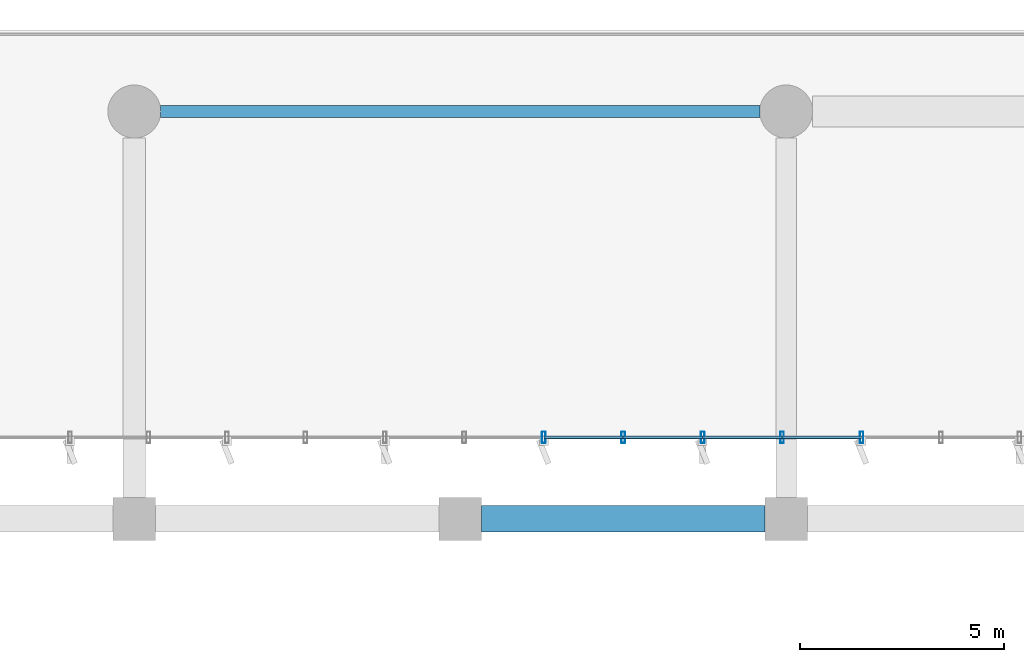
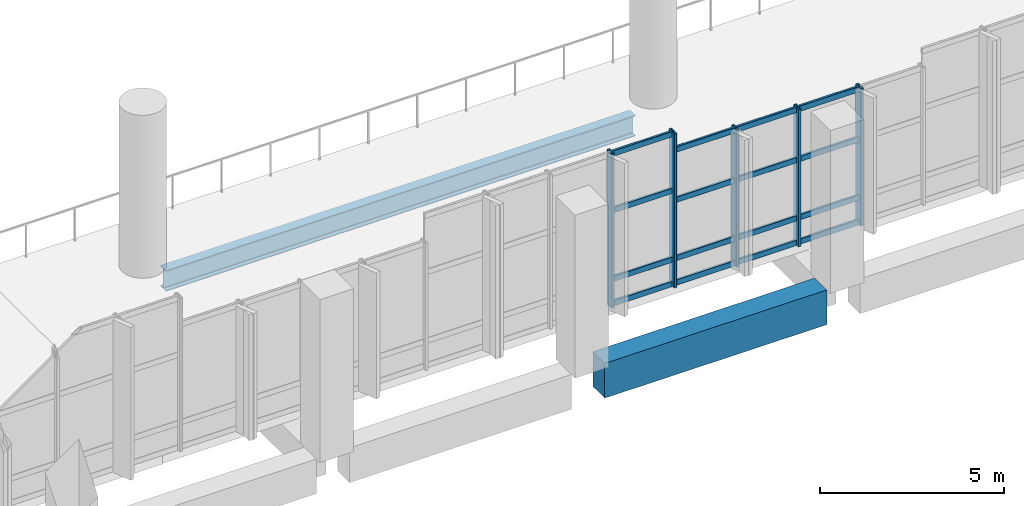
# One storey, part 33 of 176: 21 members, 2 beams, 2 elements without a shape of their own.
"""IFC4 building model written with IfcOpenShell, lengths in metres."""

from ifc_helpers import new_model, si_unit, direction, frame, origin, origin_2d, place, context, subcontext, project, spatial, rectangle, hollow_rectangle, i_section, extrude, material, layer, layer_set, material_profile, profile_set, type_object, element, aggregate, save


model = new_model("IFC4")

# Units and contexts
model_context = context("Model", 3, precision=1e-05, world=origin(), true_north=direction((0.0, 1.0)))
body_context = subcontext(model_context, "Body", "Model", "MODEL_VIEW")
ifc_project = project(units=[si_unit("LENGTHUNIT", "METRE"), si_unit("AREAUNIT", "SQUARE_METRE"), si_unit("VOLUMEUNIT", "CUBIC_METRE"), si_unit("PLANEANGLEUNIT", "RADIAN"), si_unit("MASSUNIT", "GRAM", prefix="KILO")], contexts=[model_context])

# Site, building, storey
site_placement = place(None, origin())
site = spatial("IfcSite", under=ifc_project, at=site_placement, CompositionType="ELEMENT")
building_placement = place(site_placement, origin())
building = spatial("IfcBuilding", under=site, at=building_placement, Name="Khorjan Park Terminus", CompositionType="ELEMENT")
storey_placement = place(building_placement, frame((0.0, 0.0, 6.0)))
storey = spatial("IfcBuildingStorey", under=building, at=storey_placement, Name="L01", CompositionType="ELEMENT", Elevation=6.0)

# Beam
ifc_material_1 = material(Name="Steel S355", Category="steel")
ifc_material_profile_1 = material_profile(ifc_material_1, i_section(OverallWidth=0.3, OverallDepth=0.69, WebThickness=0.0145, FlangeThickness=0.027, FilletRadius=0.027, at=origin_2d()), Name="HEA 700")
ifc_profile_set_1 = profile_set([ifc_material_profile_1], Name="Steel S355")
beam_type_1 = type_object("IfcBeamType", Name="BM-HEA700", PredefinedType="BEAM", material=ifc_profile_set_1)
beam_1_placement = place(storey_placement, frame((80.645, 36.0, -0.685), z_axis=(1.0, 0.0, 0.0), x_axis=(0.0, 1.0, 0.0)))
element("IfcBeam", 1, at=beam_1_placement, inside=storey, type_object=beam_type_1, Name="Primary floor girder SB-A70 (L01)", PredefinedType="BEAM", context=body_context, shape_type="SweptSolid", body=[
    extrude(i_section(OverallWidth=0.3, OverallDepth=0.69, WebThickness=0.0145, FlangeThickness=0.027, FilletRadius=0.027, at=origin_2d()), origin(), (0.0, 0.0, 1.0), 14.71),
])

# Curtain wall, members
ifc_material_2 = material(Name="Anodized Bronze Aluminium", Category="aluminium")
ifc_layer = layer(ifc_material_2, 0.22)
ifc_layer_set = layer_set([ifc_layer], Name="Anodized Bronze Aluminium")
curtain_wall_type = type_object("IfcCurtainWallType", Name="CW-CONC-A", PredefinedType="NOTDEFINED", material=ifc_layer_set)
curtain_wall_1_placement = place(storey_placement, origin())
curtain_wall_1 = element("IfcCurtainWall", 2, at=curtain_wall_1_placement, inside=storey, type_object=curtain_wall_type, Name="Unitized curtain wall CW-A (CW-V2-S-L01-04)", PredefinedType="NOTDEFINED")
ifc_material_profile_2 = material_profile(ifc_material_2, hollow_rectangle(XDim=0.09, YDim=0.28, WallThickness=0.006, InnerFilletRadius=0.006, OuterFilletRadius=0.012, at=origin_2d()), Name="ALM 90x280x6")
ifc_profile_set_2 = profile_set([ifc_material_profile_2], Name="Anodized Bronze Aluminium")
member_type_1 = type_object("IfcMemberType", Name="ML-ALM-280", PredefinedType="MULLION", material=ifc_profile_set_2)
member_1_placement = place(storey_placement, frame((90.05, 28.0, -0.035), z_axis=(0.0, 0.0, 1.0), x_axis=(1.0, 0.0, 0.0)))
member_1 = element("IfcMember", 3, at=member_1_placement, type_object=member_type_1, Name="Curtain-wall mullion ML-28 (CW-V2-S-L01-04-3)", PredefinedType="MULLION", context=body_context, shape_type="SweptSolid", body=[
    extrude(hollow_rectangle(XDim=0.09, YDim=0.28, WallThickness=0.006, InnerFilletRadius=0.006, OuterFilletRadius=0.012, at=origin_2d()), origin(), (0.0, 0.0, 1.0), 5.115),
])
member_2_placement = place(storey_placement, frame((92.0, 28.0, -0.035), z_axis=(0.0, 0.0, 1.0), x_axis=(1.0, 0.0, 0.0)))
member_2 = element("IfcMember", 4, at=member_2_placement, type_object=member_type_1, Name="Curtain-wall mullion ML-28 (CW-V2-S-L01-04-4)", PredefinedType="MULLION", context=body_context, shape_type="SweptSolid", body=[
    extrude(hollow_rectangle(XDim=0.09, YDim=0.28, WallThickness=0.006, InnerFilletRadius=0.006, OuterFilletRadius=0.012, at=origin_2d()), origin(), (0.0, 0.0, 1.0), 5.115),
])

curtain_wall_2_placement = place(storey_placement, origin())
curtain_wall_2 = element("IfcCurtainWall", 5, at=curtain_wall_2_placement, inside=storey, type_object=curtain_wall_type, Name="Unitized curtain wall CW-A (CW-V2-S-L01-05)", PredefinedType="NOTDEFINED")
member_3_placement = place(storey_placement, frame((93.95, 28.0, -0.035), z_axis=(0.0, 0.0, 1.0), x_axis=(1.0, 0.0, 0.0)))
member_3 = element("IfcMember", 6, at=member_3_placement, type_object=member_type_1, Name="Curtain-wall mullion ML-28 (CW-V2-S-L01-05-1)", PredefinedType="MULLION", context=body_context, shape_type="SweptSolid", body=[
    extrude(hollow_rectangle(XDim=0.09, YDim=0.28, WallThickness=0.006, InnerFilletRadius=0.006, OuterFilletRadius=0.012, at=origin_2d()), origin(), (0.0, 0.0, 1.0), 4.555),
])
member_4_placement = place(storey_placement, frame((95.9, 28.0, -0.035), z_axis=(0.0, 0.0, 1.0), x_axis=(1.0, 0.0, 0.0)))
member_4 = element("IfcMember", 7, at=member_4_placement, type_object=member_type_1, Name="Curtain-wall mullion ML-28 (CW-V2-S-L01-05-2)", PredefinedType="MULLION", context=body_context, shape_type="SweptSolid", body=[
    extrude(hollow_rectangle(XDim=0.09, YDim=0.28, WallThickness=0.006, InnerFilletRadius=0.006, OuterFilletRadius=0.012, at=origin_2d()), origin(), (0.0, 0.0, 1.0), 4.555),
])
member_5_placement = place(storey_placement, frame((97.85, 28.0, -0.035), z_axis=(0.0, 0.0, 1.0), x_axis=(1.0, 0.0, 0.0)))
member_5 = element("IfcMember", 8, at=member_5_placement, type_object=member_type_1, Name="Curtain-wall mullion ML-28 (CW-V2-S-L01-05-3)", PredefinedType="MULLION", context=body_context, shape_type="SweptSolid", body=[
    extrude(hollow_rectangle(XDim=0.09, YDim=0.28, WallThickness=0.006, InnerFilletRadius=0.006, OuterFilletRadius=0.012, at=origin_2d()), origin(), (0.0, 0.0, 1.0), 4.555),
])

# Beam
ifc_material_3 = material(Name="Concrete C50/60", Category="concrete")
ifc_material_profile_3 = material_profile(ifc_material_3, rectangle(XDim=0.65, YDim=1.15, at=origin_2d()), Name="RC 650x1150")
ifc_profile_set_3 = profile_set([ifc_material_profile_3], Name="Concrete C50/60")
beam_type_2 = type_object("IfcBeamType", Name="SP-RC650x1150", PredefinedType="SPANDREL", material=ifc_profile_set_3)
beam_2_placement = place(storey_placement, frame((88.52, 26.0, -0.575), z_axis=(1.0, 0.0, 0.0), x_axis=(0.0, 1.0, 0.0)))
element("IfcBeam", 9, at=beam_2_placement, inside=storey, type_object=beam_type_2, Name="Concourse lower colonnade ring beam SP-11 (L01-11)", PredefinedType="SPANDREL", context=body_context, shape_type="SweptSolid", body=[
    extrude(rectangle(XDim=0.65, YDim=1.15, at=origin_2d()), origin(), (0.0, 0.0, 1.0), 6.96),
])

# Member
ifc_material_profile_4 = material_profile(ifc_material_2, hollow_rectangle(XDim=0.075, YDim=0.185, WallThickness=0.005, InnerFilletRadius=0.005, OuterFilletRadius=0.01, at=origin_2d()), Name="ALT 75x185x5")
ifc_profile_set_4 = profile_set([ifc_material_profile_4], Name="Anodized Bronze Aluminium")
member_type_2 = type_object("IfcMemberType", Name="TR-ALT-185", PredefinedType="USERDEFINED", material=ifc_profile_set_4)
member_6_placement = place(storey_placement, frame((90.05, 28.0, 0.04), z_axis=(1.0, 0.0, 0.0), x_axis=(0.0, 1.0, 0.0)))
member_6 = element("IfcMember", 10, at=member_6_placement, type_object=member_type_2, Name="Curtain-wall transom TR-18 (CW-V2-S-L01-04-3-1)", ObjectType="TRANSOM", PredefinedType="USERDEFINED", context=body_context, shape_type="SweptSolid", body=[
    extrude(hollow_rectangle(XDim=0.075, YDim=0.185, WallThickness=0.005, InnerFilletRadius=0.005, OuterFilletRadius=0.01, at=origin_2d()), origin(), (0.0, 0.0, 1.0), 1.95),
])

member_7_placement = place(storey_placement, frame((90.05, 28.0, 0.85), z_axis=(1.0, 0.0, 0.0), x_axis=(0.0, 1.0, 0.0)))
member_7 = element("IfcMember", 11, at=member_7_placement, type_object=member_type_2, Name="Curtain-wall transom TR-18 (CW-V2-S-L01-04-3-2)", ObjectType="TRANSOM", PredefinedType="USERDEFINED", context=body_context, shape_type="SweptSolid", body=[
    extrude(hollow_rectangle(XDim=0.075, YDim=0.185, WallThickness=0.005, InnerFilletRadius=0.005, OuterFilletRadius=0.01, at=origin_2d()), origin(), (0.0, 0.0, 1.0), 1.95),
])

member_8_placement = place(storey_placement, frame((90.05, 28.0, 3.1279), z_axis=(1.0, 0.0, 0.0), x_axis=(0.0, 1.0, 0.0)))
member_8 = element("IfcMember", 12, at=member_8_placement, type_object=member_type_2, Name="Curtain-wall transom TR-18 (CW-V2-S-L01-04-3-3)", ObjectType="TRANSOM", PredefinedType="USERDEFINED", context=body_context, shape_type="SweptSolid", body=[
    extrude(hollow_rectangle(XDim=0.075, YDim=0.185, WallThickness=0.005, InnerFilletRadius=0.005, OuterFilletRadius=0.01, at=origin_2d()), origin(), (0.0, 0.0, 1.0), 1.95),
])

member_9_placement = place(storey_placement, frame((90.05, 28.0, 5.005), z_axis=(1.0, 0.0, 0.0), x_axis=(0.0, 1.0, 0.0)))
member_9 = element("IfcMember", 13, at=member_9_placement, type_object=member_type_2, Name="Curtain-wall transom TR-18 (CW-V2-S-L01-04-3-4)", ObjectType="TRANSOM", PredefinedType="USERDEFINED", context=body_context, shape_type="SweptSolid", body=[
    extrude(hollow_rectangle(XDim=0.075, YDim=0.185, WallThickness=0.005, InnerFilletRadius=0.005, OuterFilletRadius=0.01, at=origin_2d()), origin(), (0.0, 0.0, 1.0), 1.95),
])

aggregate(curtain_wall_1, [member_1, member_2, member_6, member_7, member_8, member_9])

member_10_placement = place(storey_placement, frame((92.0, 28.0, 0.04), z_axis=(1.0, 0.0, 0.0), x_axis=(0.0, 1.0, 0.0)))
member_10 = element("IfcMember", 14, at=member_10_placement, type_object=member_type_2, Name="Curtain-wall transom TR-18 (CW-V2-S-L01-05-0-1)", ObjectType="TRANSOM", PredefinedType="USERDEFINED", context=body_context, shape_type="SweptSolid", body=[
    extrude(hollow_rectangle(XDim=0.075, YDim=0.185, WallThickness=0.005, InnerFilletRadius=0.005, OuterFilletRadius=0.01, at=origin_2d()), origin(), (0.0, 0.0, 1.0), 1.95),
])

member_11_placement = place(storey_placement, frame((92.0, 28.0, 0.85), z_axis=(1.0, 0.0, 0.0), x_axis=(0.0, 1.0, 0.0)))
member_11 = element("IfcMember", 15, at=member_11_placement, type_object=member_type_2, Name="Curtain-wall transom TR-18 (CW-V2-S-L01-05-0-2)", ObjectType="TRANSOM", PredefinedType="USERDEFINED", context=body_context, shape_type="SweptSolid", body=[
    extrude(hollow_rectangle(XDim=0.075, YDim=0.185, WallThickness=0.005, InnerFilletRadius=0.005, OuterFilletRadius=0.01, at=origin_2d()), origin(), (0.0, 0.0, 1.0), 1.95),
])

member_12_placement = place(storey_placement, frame((92.0, 28.0, 2.7807), z_axis=(1.0, 0.0, 0.0), x_axis=(0.0, 1.0, 0.0)))
member_12 = element("IfcMember", 16, at=member_12_placement, type_object=member_type_2, Name="Curtain-wall transom TR-18 (CW-V2-S-L01-05-0-3)", ObjectType="TRANSOM", PredefinedType="USERDEFINED", context=body_context, shape_type="SweptSolid", body=[
    extrude(hollow_rectangle(XDim=0.075, YDim=0.185, WallThickness=0.005, InnerFilletRadius=0.005, OuterFilletRadius=0.01, at=origin_2d()), origin(), (0.0, 0.0, 1.0), 1.95),
])

member_13_placement = place(storey_placement, frame((92.0, 28.0, 4.445), z_axis=(1.0, 0.0, 0.0), x_axis=(0.0, 1.0, 0.0)))
member_13 = element("IfcMember", 17, at=member_13_placement, type_object=member_type_2, Name="Curtain-wall transom TR-18 (CW-V2-S-L01-05-0-4)", ObjectType="TRANSOM", PredefinedType="USERDEFINED", context=body_context, shape_type="SweptSolid", body=[
    extrude(hollow_rectangle(XDim=0.075, YDim=0.185, WallThickness=0.005, InnerFilletRadius=0.005, OuterFilletRadius=0.01, at=origin_2d()), origin(), (0.0, 0.0, 1.0), 1.95),
])

member_14_placement = place(storey_placement, frame((93.95, 28.0, 0.04), z_axis=(1.0, 0.0, 0.0), x_axis=(0.0, 1.0, 0.0)))
member_14 = element("IfcMember", 18, at=member_14_placement, type_object=member_type_2, Name="Curtain-wall transom TR-18 (CW-V2-S-L01-05-1-1)", ObjectType="TRANSOM", PredefinedType="USERDEFINED", context=body_context, shape_type="SweptSolid", body=[
    extrude(hollow_rectangle(XDim=0.075, YDim=0.185, WallThickness=0.005, InnerFilletRadius=0.005, OuterFilletRadius=0.01, at=origin_2d()), origin(), (0.0, 0.0, 1.0), 1.95),
])

member_15_placement = place(storey_placement, frame((93.95, 28.0, 0.85), z_axis=(1.0, 0.0, 0.0), x_axis=(0.0, 1.0, 0.0)))
member_15 = element("IfcMember", 19, at=member_15_placement, type_object=member_type_2, Name="Curtain-wall transom TR-18 (CW-V2-S-L01-05-1-2)", ObjectType="TRANSOM", PredefinedType="USERDEFINED", context=body_context, shape_type="SweptSolid", body=[
    extrude(hollow_rectangle(XDim=0.075, YDim=0.185, WallThickness=0.005, InnerFilletRadius=0.005, OuterFilletRadius=0.01, at=origin_2d()), origin(), (0.0, 0.0, 1.0), 1.95),
])

member_16_placement = place(storey_placement, frame((93.95, 28.0, 2.7807), z_axis=(1.0, 0.0, 0.0), x_axis=(0.0, 1.0, 0.0)))
member_16 = element("IfcMember", 20, at=member_16_placement, type_object=member_type_2, Name="Curtain-wall transom TR-18 (CW-V2-S-L01-05-1-3)", ObjectType="TRANSOM", PredefinedType="USERDEFINED", context=body_context, shape_type="SweptSolid", body=[
    extrude(hollow_rectangle(XDim=0.075, YDim=0.185, WallThickness=0.005, InnerFilletRadius=0.005, OuterFilletRadius=0.01, at=origin_2d()), origin(), (0.0, 0.0, 1.0), 1.95),
])

member_17_placement = place(storey_placement, frame((93.95, 28.0, 4.445), z_axis=(1.0, 0.0, 0.0), x_axis=(0.0, 1.0, 0.0)))
member_17 = element("IfcMember", 21, at=member_17_placement, type_object=member_type_2, Name="Curtain-wall transom TR-18 (CW-V2-S-L01-05-1-4)", ObjectType="TRANSOM", PredefinedType="USERDEFINED", context=body_context, shape_type="SweptSolid", body=[
    extrude(hollow_rectangle(XDim=0.075, YDim=0.185, WallThickness=0.005, InnerFilletRadius=0.005, OuterFilletRadius=0.01, at=origin_2d()), origin(), (0.0, 0.0, 1.0), 1.95),
])

member_18_placement = place(storey_placement, frame((95.9, 28.0, 0.04), z_axis=(1.0, 0.0, 0.0), x_axis=(0.0, 1.0, 0.0)))
member_18 = element("IfcMember", 22, at=member_18_placement, type_object=member_type_2, Name="Curtain-wall transom TR-18 (CW-V2-S-L01-05-2-1)", ObjectType="TRANSOM", PredefinedType="USERDEFINED", context=body_context, shape_type="SweptSolid", body=[
    extrude(hollow_rectangle(XDim=0.075, YDim=0.185, WallThickness=0.005, InnerFilletRadius=0.005, OuterFilletRadius=0.01, at=origin_2d()), origin(), (0.0, 0.0, 1.0), 1.95),
])

member_19_placement = place(storey_placement, frame((95.9, 28.0, 0.85), z_axis=(1.0, 0.0, 0.0), x_axis=(0.0, 1.0, 0.0)))
member_19 = element("IfcMember", 23, at=member_19_placement, type_object=member_type_2, Name="Curtain-wall transom TR-18 (CW-V2-S-L01-05-2-2)", ObjectType="TRANSOM", PredefinedType="USERDEFINED", context=body_context, shape_type="SweptSolid", body=[
    extrude(hollow_rectangle(XDim=0.075, YDim=0.185, WallThickness=0.005, InnerFilletRadius=0.005, OuterFilletRadius=0.01, at=origin_2d()), origin(), (0.0, 0.0, 1.0), 1.95),
])

member_20_placement = place(storey_placement, frame((95.9, 28.0, 2.7807), z_axis=(1.0, 0.0, 0.0), x_axis=(0.0, 1.0, 0.0)))
member_20 = element("IfcMember", 24, at=member_20_placement, type_object=member_type_2, Name="Curtain-wall transom TR-18 (CW-V2-S-L01-05-2-3)", ObjectType="TRANSOM", PredefinedType="USERDEFINED", context=body_context, shape_type="SweptSolid", body=[
    extrude(hollow_rectangle(XDim=0.075, YDim=0.185, WallThickness=0.005, InnerFilletRadius=0.005, OuterFilletRadius=0.01, at=origin_2d()), origin(), (0.0, 0.0, 1.0), 1.95),
])

member_21_placement = place(storey_placement, frame((95.9, 28.0, 4.445), z_axis=(1.0, 0.0, 0.0), x_axis=(0.0, 1.0, 0.0)))
member_21 = element("IfcMember", 25, at=member_21_placement, type_object=member_type_2, Name="Curtain-wall transom TR-18 (CW-V2-S-L01-05-2-4)", ObjectType="TRANSOM", PredefinedType="USERDEFINED", context=body_context, shape_type="SweptSolid", body=[
    extrude(hollow_rectangle(XDim=0.075, YDim=0.185, WallThickness=0.005, InnerFilletRadius=0.005, OuterFilletRadius=0.01, at=origin_2d()), origin(), (0.0, 0.0, 1.0), 1.95),
])

aggregate(curtain_wall_2, [member_3, member_4, member_5, member_10, member_11, member_12, member_13, member_14, member_15, member_16, member_17, member_18, member_19, member_20, member_21])

save(model, "model.ifc")
